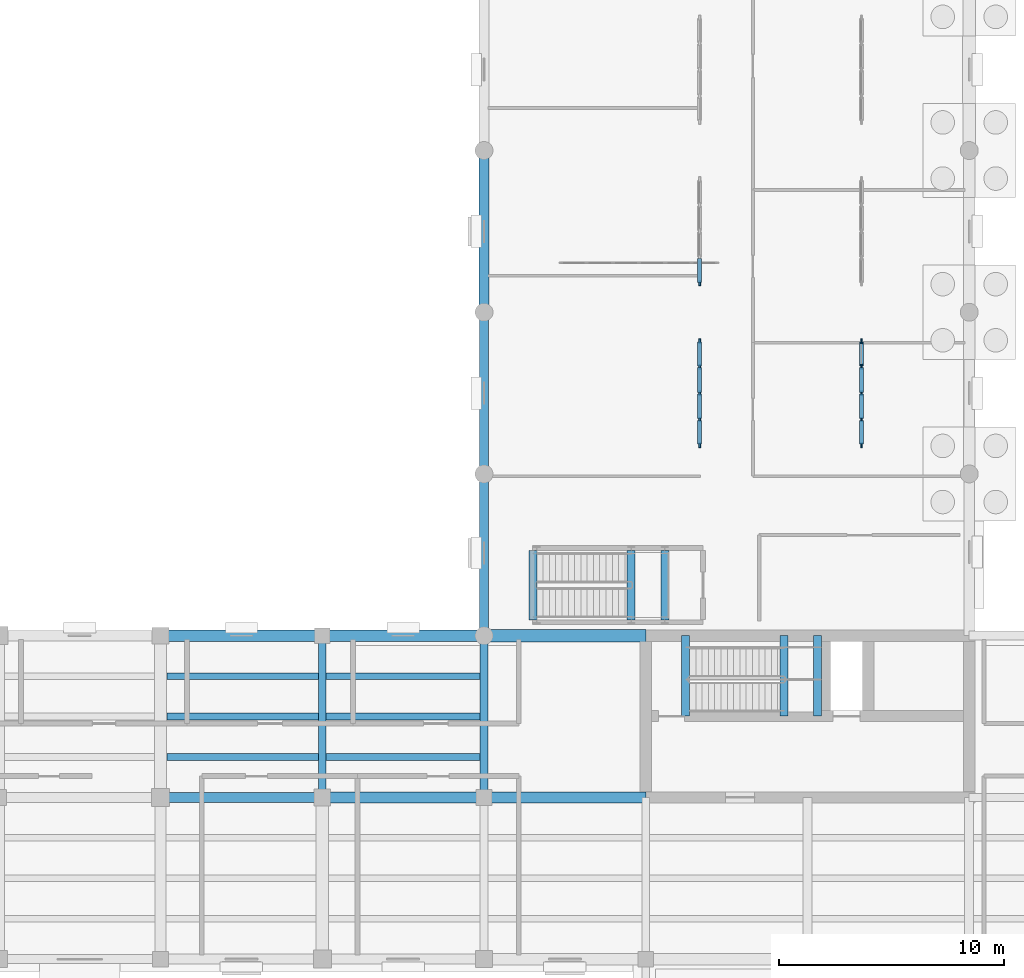
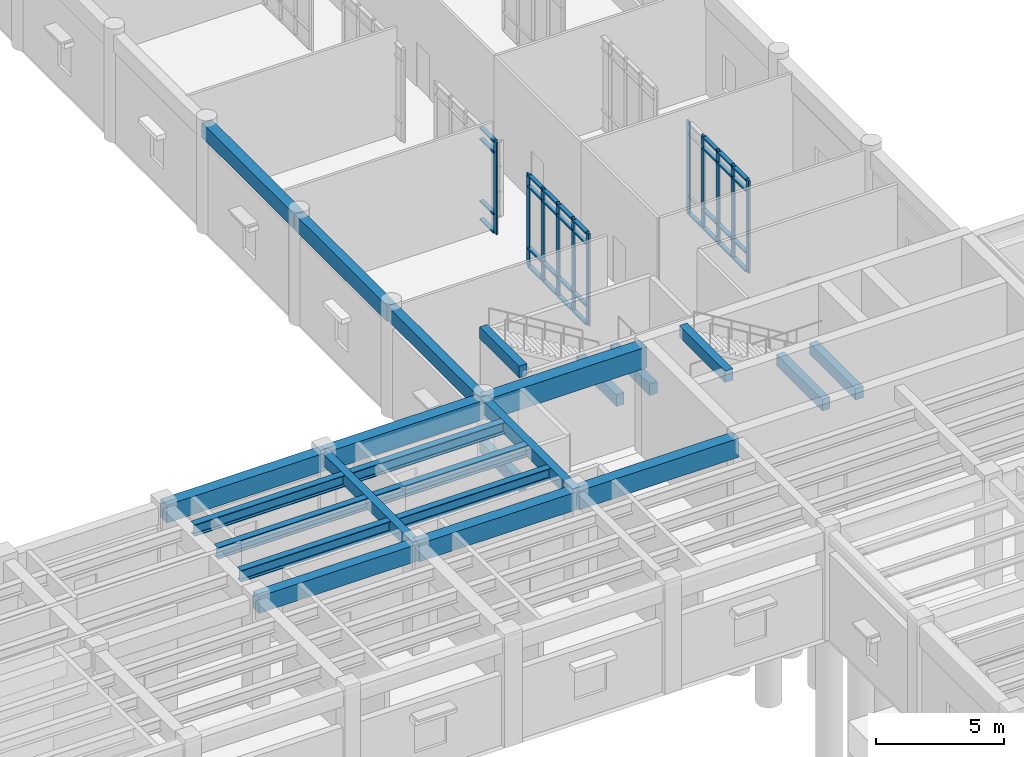
# One storey, part 18 of 100: 44 members, 24 beams, 3 elements without a shape of their own.
"""IFC4 building model written with IfcOpenShell, lengths in metres."""

from ifc_helpers import new_model, si_unit, direction, frame, origin, origin_2d, place, context, subcontext, project, spatial, rectangle, i_section, extrude, material, material_profile, profile_set, type_object, element, aggregate, save


model = new_model("IFC4")

# Units and contexts
model_context = context("Model", 3, precision=1e-05, world=origin(), true_north=direction((0.0, 1.0)))
body_context = subcontext(model_context, "Body", "Model", "MODEL_VIEW")
ifc_project = project(units=[si_unit("LENGTHUNIT", "METRE"), si_unit("AREAUNIT", "SQUARE_METRE"), si_unit("VOLUMEUNIT", "CUBIC_METRE"), si_unit("PLANEANGLEUNIT", "RADIAN"), si_unit("MASSUNIT", "GRAM", prefix="KILO")], contexts=[model_context])

# Site, building, storey
site_placement = place(None, origin())
site = spatial("IfcSite", under=ifc_project, at=site_placement, CompositionType="ELEMENT")
building_placement = place(site_placement, origin())
building = spatial("IfcBuilding", under=site, at=building_placement, Name="Mithqara Police Headquarters", CompositionType="ELEMENT")
storey_placement = place(building_placement, origin())
storey = spatial("IfcBuildingStorey", under=building, at=storey_placement, Name="L00", CompositionType="ELEMENT", Elevation=0.0)

# Beams
ifc_material_1 = material(Name="Steel S355JR", Category="steel")
ifc_material_profile_1 = material_profile(ifc_material_1, i_section(OverallWidth=0.300048828125, OverallDepth=0.550048828125, WebThickness=0.014892578125, FlangeThickness=0.029052734375, FilletRadius=0.027099609375, at=origin_2d()), Name="HEB 550")
ifc_profile_set_1 = profile_set([ifc_material_profile_1], Name="Steel S355JR")
beam_type_1 = type_object("IfcBeamType", Name="BEAM HEB550", PredefinedType="BEAM", material=ifc_profile_set_1)
for number, where, z_axis, x_axis, name in (
    (1, (58.47509765625, 30.0, 4.844970703125), (1.0, 0.0, 0.0), (0.0, 1.0, 0.0), "L00 Composite Steel Joist 9-10/E.1"),
    (2, (58.47509765625, 31.800048828125, 4.844970703125), (1.0, 0.0, 0.0), (0.0, 1.0, 0.0), "L00 Composite Steel Joist 9-10/E.2"),
    (3, (58.47509765625, 33.60009765625, 4.844970703125), (1.0, 0.0, 0.0), (0.0, 1.0, 0.0), "L00 Composite Steel Joist 9-10/E.3"),
):
    element("IfcBeam", number, at=place(storey_placement, frame(where, z_axis=z_axis, x_axis=x_axis)), inside=storey, type_object=beam_type_1, Name=name, PredefinedType="BEAM", context=body_context, shape_type="SweptSolid", body=[
        extrude(i_section(OverallWidth=0.300048828125, OverallDepth=0.550048828125, WebThickness=0.014892578125, FlangeThickness=0.029052734375, FilletRadius=0.027099609375, at=origin_2d()), origin(), (0.0, 0.0, 1.0), 6.75),
    ])
for number, where, z_axis, x_axis, name in (
    (4, (65.574951171875, 30.0, 4.844970703125), (1.0, 0.0, 0.0), (0.0, 1.0, 0.0), "L00 Composite Steel Joist 10-11/E.1"),
    (5, (65.574951171875, 31.800048828125, 4.844970703125), (1.0, 0.0, 0.0), (0.0, 1.0, 0.0), "L00 Composite Steel Joist 10-11/E.2"),
    (6, (65.574951171875, 33.60009765625, 4.844970703125), (1.0, 0.0, 0.0), (0.0, 1.0, 0.0), "L00 Composite Steel Joist 10-11/E.3"),
):
    element("IfcBeam", number, at=place(storey_placement, frame(where, z_axis=z_axis, x_axis=x_axis)), inside=storey, type_object=beam_type_1, Name=name, PredefinedType="BEAM", context=body_context, shape_type="SweptSolid", body=[
        extrude(i_section(OverallWidth=0.300048828125, OverallDepth=0.550048828125, WebThickness=0.014892578125, FlangeThickness=0.029052734375, FilletRadius=0.027099609375, at=origin_2d()), origin(), (0.0, 0.0, 1.0), 6.85009765625),
    ])
ifc_material_2 = material(Name="Concrete C40/50", Category="concrete")
ifc_material_profile_2 = material_profile(ifc_material_2, rectangle(XDim=0.35009765625, YDim=0.550048828125, at=origin_2d()), Name="RC 350x550")
ifc_profile_set_2 = profile_set([ifc_material_profile_2], Name="Concrete C40/50")
beam_type_2 = type_object("IfcBeamType", Name="BEAM RC350X550", PredefinedType="BEAM", material=ifc_profile_set_2)
beam_1_placement = place(storey_placement, frame((65.39990234375, 28.199951171875, 4.844970703125), z_axis=(0.0, 1.0, 0.0), x_axis=(-1.0, 0.0, 0.0)))
element("IfcBeam", 7, at=beam_1_placement, inside=storey, type_object=beam_type_2, Name="L00 Girder 10/E-F", PredefinedType="BEAM", context=body_context, shape_type="SweptSolid", body=[
    extrude(rectangle(XDim=0.35009765625, YDim=0.550048828125, at=origin_2d()), origin(), (0.0, 0.0, 1.0), 7.199951171875),
])
for number, where, z_axis, x_axis, name in (
    (8, (85.949951171875, 31.820068359375, 2.235107421875), (0.0, 1.0, 0.0), (-1.0, 0.0, 0.0), "L00 ST-07 Half-Landing Bearer LF"),
    (9, (87.449951171875, 31.820068359375, 2.235107421875), (0.0, 1.0, 0.0), (-1.0, 0.0, 0.0), "L00 ST-07 Half-Landing Bearer LB"),
    (10, (81.576904296875, 31.820068359375, 5.125), (0.0, 1.0, 0.0), (-1.0, 0.0, 0.0), "L00 ST-07 Stairwell Trimmer Beam"),
):
    element("IfcBeam", number, at=place(storey_placement, frame(where, z_axis=z_axis, x_axis=x_axis)), inside=storey, type_object=beam_type_2, Name=name, PredefinedType="BEAM", context=body_context, shape_type="SweptSolid", body=[
        extrude(rectangle(XDim=0.35009765625, YDim=0.550048828125, at=origin_2d()), origin(), (0.0, 0.0, 1.0), 3.579833984375),
    ])
for number, where, z_axis, x_axis, name in (
    (11, (74.777099609375, 36.10009765625, -0.27490234375), (0.0, 1.0, 0.0), (-1.0, 0.0, 0.0), "L00 ST-05 Floor Starter Beam"),
    (12, (79.14990234375, 36.10009765625, 2.235107421875), (0.0, 1.0, 0.0), (-1.0, 0.0, 0.0), "L00 ST-05 Bearer LF"),
    (13, (80.64990234375, 36.10009765625, 2.235107421875), (0.0, 1.0, 0.0), (-1.0, 0.0, 0.0), "L00 ST-05 Bearer LB"),
    (14, (74.777099609375, 36.10009765625, 5.135009765625), (0.0, 1.0, 0.0), (-1.0, 0.0, 0.0), "L00 ST-05 Bearer TR"),
):
    element("IfcBeam", number, at=place(storey_placement, frame(where, z_axis=z_axis, x_axis=x_axis)), inside=storey, type_object=beam_type_2, Name=name, PredefinedType="BEAM", context=body_context, shape_type="SweptSolid", body=[
        extrude(rectangle(XDim=0.35009765625, YDim=0.550048828125, at=origin_2d()), origin(), (0.0, 0.0, 1.0), 3.099853515625),
    ])
ifc_material_profile_3 = material_profile(ifc_material_2, rectangle(XDim=0.35009765625, YDim=0.60009765625, at=origin_2d()), Name="RC 350x600")
ifc_profile_set_3 = profile_set([ifc_material_profile_3], Name="Concrete C40/50")
beam_type_3 = type_object("IfcBeamType", Name="BEAM RC350X600", PredefinedType="BEAM", material=ifc_profile_set_3)
beam_2_placement = place(storey_placement, frame((72.60009765625, 28.199951171875, 4.820068359375), z_axis=(0.0, 1.0, 0.0), x_axis=(-1.0, 0.0, 0.0)))
element("IfcBeam", 15, at=beam_2_placement, inside=storey, type_object=beam_type_3, Name="L00 Girder 11/E-F", PredefinedType="BEAM", context=body_context, shape_type="SweptSolid", body=[
    extrude(rectangle(XDim=0.35009765625, YDim=0.60009765625, at=origin_2d()), origin(), (0.0, 0.0, 1.0), 7.199951171875),
])
ifc_material_profile_4 = material_profile(ifc_material_2, rectangle(XDim=0.39990234375, YDim=0.64990234375, at=origin_2d()), Name="RC 400x650")
ifc_profile_set_4 = profile_set([ifc_material_profile_4], Name="Concrete C40/50")
beam_type_4 = type_object("IfcBeamType", Name="BEAM RC400X650", PredefinedType="BEAM", material=ifc_profile_set_4)
beam_3_placement = place(storey_placement, frame((72.60009765625, 35.39990234375, 4.794921875), z_axis=(0.0, 1.0, 0.0), x_axis=(-1.0, 0.0, 0.0)))
element("IfcBeam", 16, at=beam_3_placement, inside=storey, type_object=beam_type_4, Name="L00 Girder 11/F-G", PredefinedType="BEAM", context=body_context, shape_type="SweptSolid", body=[
    extrude(rectangle(XDim=0.39990234375, YDim=0.64990234375, at=origin_2d()), origin(), (0.0, 0.0, 1.0), 7.2001953125),
])
ifc_material_profile_5 = material_profile(ifc_material_2, rectangle(XDim=0.39990234375, YDim=0.75, at=origin_2d()), Name="RC 400x750")
ifc_profile_set_5 = profile_set([ifc_material_profile_5], Name="Concrete C40/50")
beam_type_5 = type_object("IfcBeamType", Name="BEAM RC400X750", PredefinedType="BEAM", material=ifc_profile_set_5)
beam_4_placement = place(storey_placement, frame((72.60009765625, 42.60009765625, 4.7451171875), z_axis=(0.0, 1.0, 0.0), x_axis=(-1.0, 0.0, 0.0)))
element("IfcBeam", 17, at=beam_4_placement, inside=storey, type_object=beam_type_5, Name="L00 Girder 11/G-H", PredefinedType="BEAM", context=body_context, shape_type="SweptSolid", body=[
    extrude(rectangle(XDim=0.39990234375, YDim=0.75, at=origin_2d()), origin(), (0.0, 0.0, 1.0), 7.199951171875),
])
ifc_material_profile_6 = material_profile(ifc_material_2, rectangle(XDim=0.449951171875, YDim=0.699951171875, at=origin_2d()), Name="RC 450x700")
ifc_profile_set_6 = profile_set([ifc_material_profile_6], Name="Concrete C40/50")
beam_type_6 = type_object("IfcBeamType", Name="BEAM RC450X700", PredefinedType="BEAM", material=ifc_profile_set_6)
beam_5_placement = place(storey_placement, frame((72.60009765625, 49.800048828125, 4.77001953125), z_axis=(0.0, 1.0, 0.0), x_axis=(-1.0, 0.0, 0.0)))
element("IfcBeam", 18, at=beam_5_placement, inside=storey, type_object=beam_type_6, Name="L00 Girder 11/H-J", PredefinedType="BEAM", context=body_context, shape_type="SweptSolid", body=[
    extrude(rectangle(XDim=0.449951171875, YDim=0.699951171875, at=origin_2d()), origin(), (0.0, 0.0, 1.0), 7.199951171875),
])
ifc_material_profile_7 = material_profile(ifc_material_2, rectangle(XDim=0.449951171875, YDim=0.800048828125, at=origin_2d()), Name="RC 450x800")
ifc_profile_set_7 = profile_set([ifc_material_profile_7], Name="Concrete C40/50")
beam_type_7 = type_object("IfcBeamType", Name="BEAM RC450X800", PredefinedType="BEAM", material=ifc_profile_set_7)
beam_6_placement = place(storey_placement, frame((58.199951171875, 28.199951171875, 4.719970703125), z_axis=(1.0, 0.0, 0.0), x_axis=(0.0, 1.0, 0.0)))
element("IfcBeam", 19, at=beam_6_placement, inside=storey, type_object=beam_type_7, Name="L00 Girder 9-10/E", PredefinedType="BEAM", context=body_context, shape_type="SweptSolid", body=[
    extrude(rectangle(XDim=0.449951171875, YDim=0.800048828125, at=origin_2d()), origin(), (0.0, 0.0, 1.0), 7.199951171875),
])
ifc_material_profile_8 = material_profile(ifc_material_2, rectangle(XDim=0.5, YDim=0.85009765625, at=origin_2d()), Name="RC 500x850")
ifc_profile_set_8 = profile_set([ifc_material_profile_8], Name="Concrete C40/50")
beam_type_8 = type_object("IfcBeamType", Name="BEAM RC500X850", PredefinedType="BEAM", material=ifc_profile_set_8)
beam_7_placement = place(storey_placement, frame((58.199951171875, 35.39990234375, 4.695068359375), z_axis=(1.0, 0.0, 0.0), x_axis=(0.0, 1.0, 0.0)))
element("IfcBeam", 20, at=beam_7_placement, inside=storey, type_object=beam_type_8, Name="L00 Girder 9-10/F", PredefinedType="BEAM", context=body_context, shape_type="SweptSolid", body=[
    extrude(rectangle(XDim=0.5, YDim=0.85009765625, at=origin_2d()), origin(), (0.0, 0.0, 1.0), 7.199951171875),
])
beam_8_placement = place(storey_placement, frame((65.39990234375, 28.199951171875, 4.695068359375), z_axis=(1.0, 0.0, 0.0), x_axis=(0.0, 1.0, 0.0)))
element("IfcBeam", 21, at=beam_8_placement, inside=storey, type_object=beam_type_8, Name="L00 Girder 10-11/E", PredefinedType="BEAM", context=body_context, shape_type="SweptSolid", body=[
    extrude(rectangle(XDim=0.5, YDim=0.85009765625, at=origin_2d()), origin(), (0.0, 0.0, 1.0), 7.2001953125),
])
ifc_material_3 = material(Name="Concrete C50/60", Category="concrete")
ifc_material_profile_9 = material_profile(ifc_material_3, rectangle(XDim=0.5, YDim=0.89990234375, at=origin_2d()), Name="RC 500x900")
ifc_profile_set_9 = profile_set([ifc_material_profile_9], Name="Concrete C50/60")
beam_type_9 = type_object("IfcBeamType", Name="BEAM RC500X900", PredefinedType="BEAM", material=ifc_profile_set_9)
beam_9_placement = place(storey_placement, frame((65.39990234375, 35.39990234375, 4.669921875), z_axis=(1.0, 0.0, 0.0), x_axis=(0.0, 1.0, 0.0)))
element("IfcBeam", 22, at=beam_9_placement, inside=storey, type_object=beam_type_9, Name="L00 Girder 10-11/F", PredefinedType="BEAM", context=body_context, shape_type="SweptSolid", body=[
    extrude(rectangle(XDim=0.5, YDim=0.89990234375, at=origin_2d()), origin(), (0.0, 0.0, 1.0), 7.2001953125),
])
beam_10_placement = place(storey_placement, frame((72.60009765625, 28.199951171875, 4.669921875), z_axis=(1.0, 0.0, 0.0), x_axis=(0.0, 1.0, 0.0)))
element("IfcBeam", 23, at=beam_10_placement, inside=storey, type_object=beam_type_9, Name="L00 Girder 11-12/E", PredefinedType="BEAM", context=body_context, shape_type="SweptSolid", body=[
    extrude(rectangle(XDim=0.5, YDim=0.89990234375, at=origin_2d()), origin(), (0.0, 0.0, 1.0), 7.199951171875),
])
ifc_material_profile_10 = material_profile(ifc_material_3, rectangle(XDim=0.550048828125, YDim=1.0, at=origin_2d()), Name="RC 550x1000")
ifc_profile_set_10 = profile_set([ifc_material_profile_10], Name="Concrete C50/60")
beam_type_10 = type_object("IfcBeamType", Name="BEAM RC550X1000", PredefinedType="BEAM", material=ifc_profile_set_10)
beam_11_placement = place(storey_placement, frame((72.60009765625, 35.39990234375, 4.6201171875), z_axis=(1.0, 0.0, 0.0), x_axis=(0.0, 1.0, 0.0)))
element("IfcBeam", 24, at=beam_11_placement, inside=storey, type_object=beam_type_10, Name="L00 Girder 11-12/F", PredefinedType="BEAM", context=body_context, shape_type="SweptSolid", body=[
    extrude(rectangle(XDim=0.550048828125, YDim=1.0, at=origin_2d()), origin(), (0.0, 0.0, 1.0), 7.199951171875),
])

# Curtain wall, members
ifc_material_4 = material(Name="Bronze anodised aluminium 6063-T6", Category="aluminium")
curtain_wall_type = type_object("IfcCurtainWallType", Name="CURTAIN WALL 4700X4400", PredefinedType="USERDEFINED", material=ifc_material_4)
curtain_wall_1_placement = place(storey_placement, origin())
curtain_wall_1 = element("IfcCurtainWall", 25, at=curtain_wall_1_placement, inside=storey, type_object=curtain_wall_type, Name="L00 Unitised Glazing CW-14 (CW-INT-L00-X11-Y06-0)", ObjectType="UNITISED GLAZING", PredefinedType="USERDEFINED")
ifc_material_profile_11 = material_profile(ifc_material_4, rectangle(XDim=0.074951171875, YDim=0.219970703125, at=origin_2d()), Name="CWM 75x220")
ifc_profile_set_11 = profile_set([ifc_material_profile_11], Name="Bronze anodised aluminium 6063-T6")
member_type_1 = type_object("IfcMemberType", Name="CWMULLION 75X220", PredefinedType="MULLION", material=ifc_profile_set_11)
member_1_placement = place(storey_placement, frame((82.199951171875, 43.887451171875, 0.0), z_axis=(0.0, 0.0, 1.0), x_axis=(-1.0, 0.0, 0.0)))
member_1 = element("IfcMember", 26, at=member_1_placement, type_object=member_type_1, Name="CW-14 mullion 1", PredefinedType="MULLION", context=body_context, shape_type="SweptSolid", body=[
    extrude(rectangle(XDim=0.074951171875, YDim=0.219970703125, at=origin_2d()), origin(), (0.0, 0.0, 1.0), 4.39990234375),
])
member_2_placement = place(storey_placement, frame((82.199951171875, 45.02490234375, 0.0), z_axis=(0.0, 0.0, 1.0), x_axis=(-1.0, 0.0, 0.0)))
member_2 = element("IfcMember", 27, at=member_2_placement, type_object=member_type_1, Name="CW-14 mullion 2", PredefinedType="MULLION", context=body_context, shape_type="SweptSolid", body=[
    extrude(rectangle(XDim=0.074951171875, YDim=0.219970703125, at=origin_2d()), origin(), (0.0, 0.0, 1.0), 4.39990234375),
])
member_3_placement = place(storey_placement, frame((82.199951171875, 46.199951171875, 0.0), z_axis=(0.0, 0.0, 1.0), x_axis=(-1.0, 0.0, 0.0)))
member_3 = element("IfcMember", 28, at=member_3_placement, type_object=member_type_1, Name="CW-14 mullion 3", PredefinedType="MULLION", context=body_context, shape_type="SweptSolid", body=[
    extrude(rectangle(XDim=0.074951171875, YDim=0.219970703125, at=origin_2d()), origin(), (0.0, 0.0, 1.0), 4.39990234375),
])
member_4_placement = place(storey_placement, frame((82.199951171875, 47.375, 0.0), z_axis=(0.0, 0.0, 1.0), x_axis=(-1.0, 0.0, 0.0)))
member_4 = element("IfcMember", 29, at=member_4_placement, type_object=member_type_1, Name="CW-14 mullion 4", PredefinedType="MULLION", context=body_context, shape_type="SweptSolid", body=[
    extrude(rectangle(XDim=0.074951171875, YDim=0.219970703125, at=origin_2d()), origin(), (0.0, 0.0, 1.0), 4.39990234375),
])
member_5_placement = place(storey_placement, frame((82.199951171875, 48.512451171875, 0.0), z_axis=(0.0, 0.0, 1.0), x_axis=(-1.0, 0.0, 0.0)))
member_5 = element("IfcMember", 30, at=member_5_placement, type_object=member_type_1, Name="CW-14 mullion 5", PredefinedType="MULLION", context=body_context, shape_type="SweptSolid", body=[
    extrude(rectangle(XDim=0.074951171875, YDim=0.219970703125, at=origin_2d()), origin(), (0.0, 0.0, 1.0), 4.39990234375),
])

# Curtain wall, member
curtain_wall_2_placement = place(storey_placement, origin())
curtain_wall_2 = element("IfcCurtainWall", 31, at=curtain_wall_2_placement, inside=storey, type_object=curtain_wall_type, Name="L00 Unitised Glazing CW-14 (CW-INT-L00-X11-Y07-0)", ObjectType="UNITISED GLAZING", PredefinedType="USERDEFINED")
member_6_placement = place(storey_placement, frame((82.199951171875, 51.08740234375, 0.0), z_axis=(0.0, 0.0, 1.0), x_axis=(-1.0, 0.0, 0.0)))
member_6 = element("IfcMember", 32, at=member_6_placement, type_object=member_type_1, Name="CW-14 mullion 1", PredefinedType="MULLION", context=body_context, shape_type="SweptSolid", body=[
    extrude(rectangle(XDim=0.074951171875, YDim=0.219970703125, at=origin_2d()), origin(), (0.0, 0.0, 1.0), 4.39990234375),
])

# Curtain wall, members
curtain_wall_3_placement = place(storey_placement, origin())
curtain_wall_3 = element("IfcCurtainWall", 33, at=curtain_wall_3_placement, inside=storey, type_object=curtain_wall_type, Name="L00 Unitised Glazing CW-14 (CW-INT-L00-X12-Y06-0)", ObjectType="UNITISED GLAZING", PredefinedType="USERDEFINED")
member_7_placement = place(storey_placement, frame((89.39990234375, 43.887451171875, 0.0), z_axis=(0.0, 0.0, 1.0), x_axis=(-1.0, 0.0, 0.0)))
member_7 = element("IfcMember", 34, at=member_7_placement, type_object=member_type_1, Name="CW-14 mullion 1", PredefinedType="MULLION", context=body_context, shape_type="SweptSolid", body=[
    extrude(rectangle(XDim=0.074951171875, YDim=0.219970703125, at=origin_2d()), origin(), (0.0, 0.0, 1.0), 4.39990234375),
])
member_8_placement = place(storey_placement, frame((89.39990234375, 45.02490234375, 0.0), z_axis=(0.0, 0.0, 1.0), x_axis=(-1.0, 0.0, 0.0)))
member_8 = element("IfcMember", 35, at=member_8_placement, type_object=member_type_1, Name="CW-14 mullion 2", PredefinedType="MULLION", context=body_context, shape_type="SweptSolid", body=[
    extrude(rectangle(XDim=0.074951171875, YDim=0.219970703125, at=origin_2d()), origin(), (0.0, 0.0, 1.0), 4.39990234375),
])
member_9_placement = place(storey_placement, frame((89.39990234375, 46.199951171875, 0.0), z_axis=(0.0, 0.0, 1.0), x_axis=(-1.0, 0.0, 0.0)))
member_9 = element("IfcMember", 36, at=member_9_placement, type_object=member_type_1, Name="CW-14 mullion 3", PredefinedType="MULLION", context=body_context, shape_type="SweptSolid", body=[
    extrude(rectangle(XDim=0.074951171875, YDim=0.219970703125, at=origin_2d()), origin(), (0.0, 0.0, 1.0), 4.39990234375),
])
member_10_placement = place(storey_placement, frame((89.39990234375, 47.375, 0.0), z_axis=(0.0, 0.0, 1.0), x_axis=(-1.0, 0.0, 0.0)))
member_10 = element("IfcMember", 37, at=member_10_placement, type_object=member_type_1, Name="CW-14 mullion 4", PredefinedType="MULLION", context=body_context, shape_type="SweptSolid", body=[
    extrude(rectangle(XDim=0.074951171875, YDim=0.219970703125, at=origin_2d()), origin(), (0.0, 0.0, 1.0), 4.39990234375),
])
member_11_placement = place(storey_placement, frame((89.39990234375, 48.512451171875, 0.0), z_axis=(0.0, 0.0, 1.0), x_axis=(-1.0, 0.0, 0.0)))
member_11 = element("IfcMember", 38, at=member_11_placement, type_object=member_type_1, Name="CW-14 mullion 5", PredefinedType="MULLION", context=body_context, shape_type="SweptSolid", body=[
    extrude(rectangle(XDim=0.074951171875, YDim=0.219970703125, at=origin_2d()), origin(), (0.0, 0.0, 1.0), 4.39990234375),
])

# Member
ifc_material_profile_12 = material_profile(ifc_material_4, rectangle(XDim=0.179931640625, YDim=0.074951171875, at=origin_2d()), Name="CWT 180x75")
ifc_profile_set_12 = profile_set([ifc_material_profile_12], Name="Bronze anodised aluminium 6063-T6")
member_type_2 = type_object("IfcMemberType", Name="CWTRANSOM 180X75", PredefinedType="USERDEFINED", material=ifc_profile_set_12)
member_12_placement = place(storey_placement, frame((82.199951171875, 43.925048828125, 0.03759765625), z_axis=(0.0, 1.0, 0.0), x_axis=(-1.0, 0.0, 0.0)))
member_12 = element("IfcMember", 39, at=member_12_placement, type_object=member_type_2, Name="CW-14 transom 1.1", ObjectType="TRANSOM", PredefinedType="USERDEFINED", context=body_context, shape_type="SweptSolid", body=[
    extrude(rectangle(XDim=0.179931640625, YDim=0.074951171875, at=origin_2d()), origin(), (0.0, 0.0, 1.0), 1.0625),
])

member_13_placement = place(storey_placement, frame((82.199951171875, 43.925048828125, 0.89990234375), z_axis=(0.0, 1.0, 0.0), x_axis=(-1.0, 0.0, 0.0)))
member_13 = element("IfcMember", 40, at=member_13_placement, type_object=member_type_2, Name="CW-14 transom 1.2", ObjectType="TRANSOM", PredefinedType="USERDEFINED", context=body_context, shape_type="SweptSolid", body=[
    extrude(rectangle(XDim=0.179931640625, YDim=0.074951171875, at=origin_2d()), origin(), (0.0, 0.0, 1.0), 1.0625),
])

member_14_placement = place(storey_placement, frame((82.199951171875, 43.925048828125, 3.85009765625), z_axis=(0.0, 1.0, 0.0), x_axis=(-1.0, 0.0, 0.0)))
member_14 = element("IfcMember", 41, at=member_14_placement, type_object=member_type_2, Name="CW-14 transom 1.3", ObjectType="TRANSOM", PredefinedType="USERDEFINED", context=body_context, shape_type="SweptSolid", body=[
    extrude(rectangle(XDim=0.179931640625, YDim=0.074951171875, at=origin_2d()), origin(), (0.0, 0.0, 1.0), 1.0625),
])

member_15_placement = place(storey_placement, frame((82.199951171875, 43.925048828125, 4.362548828125), z_axis=(0.0, 1.0, 0.0), x_axis=(-1.0, 0.0, 0.0)))
member_15 = element("IfcMember", 42, at=member_15_placement, type_object=member_type_2, Name="CW-14 transom 1.4", ObjectType="TRANSOM", PredefinedType="USERDEFINED", context=body_context, shape_type="SweptSolid", body=[
    extrude(rectangle(XDim=0.179931640625, YDim=0.074951171875, at=origin_2d()), origin(), (0.0, 0.0, 1.0), 1.0625),
])

member_16_placement = place(storey_placement, frame((82.199951171875, 45.0625, 0.03759765625), z_axis=(0.0, 1.0, 0.0), x_axis=(-1.0, 0.0, 0.0)))
member_16 = element("IfcMember", 43, at=member_16_placement, type_object=member_type_2, Name="CW-14 transom 2.1", ObjectType="TRANSOM", PredefinedType="USERDEFINED", context=body_context, shape_type="SweptSolid", body=[
    extrude(rectangle(XDim=0.179931640625, YDim=0.074951171875, at=origin_2d()), origin(), (0.0, 0.0, 1.0), 1.10009765625),
])

member_17_placement = place(storey_placement, frame((82.199951171875, 45.0625, 0.89990234375), z_axis=(0.0, 1.0, 0.0), x_axis=(-1.0, 0.0, 0.0)))
member_17 = element("IfcMember", 44, at=member_17_placement, type_object=member_type_2, Name="CW-14 transom 2.2", ObjectType="TRANSOM", PredefinedType="USERDEFINED", context=body_context, shape_type="SweptSolid", body=[
    extrude(rectangle(XDim=0.179931640625, YDim=0.074951171875, at=origin_2d()), origin(), (0.0, 0.0, 1.0), 1.10009765625),
])

member_18_placement = place(storey_placement, frame((82.199951171875, 45.0625, 3.85009765625), z_axis=(0.0, 1.0, 0.0), x_axis=(-1.0, 0.0, 0.0)))
member_18 = element("IfcMember", 45, at=member_18_placement, type_object=member_type_2, Name="CW-14 transom 2.3", ObjectType="TRANSOM", PredefinedType="USERDEFINED", context=body_context, shape_type="SweptSolid", body=[
    extrude(rectangle(XDim=0.179931640625, YDim=0.074951171875, at=origin_2d()), origin(), (0.0, 0.0, 1.0), 1.10009765625),
])

member_19_placement = place(storey_placement, frame((82.199951171875, 45.0625, 4.362548828125), z_axis=(0.0, 1.0, 0.0), x_axis=(-1.0, 0.0, 0.0)))
member_19 = element("IfcMember", 46, at=member_19_placement, type_object=member_type_2, Name="CW-14 transom 2.4", ObjectType="TRANSOM", PredefinedType="USERDEFINED", context=body_context, shape_type="SweptSolid", body=[
    extrude(rectangle(XDim=0.179931640625, YDim=0.074951171875, at=origin_2d()), origin(), (0.0, 0.0, 1.0), 1.10009765625),
])

member_20_placement = place(storey_placement, frame((82.199951171875, 46.237548828125, 0.03759765625), z_axis=(0.0, 1.0, 0.0), x_axis=(-1.0, 0.0, 0.0)))
member_20 = element("IfcMember", 47, at=member_20_placement, type_object=member_type_2, Name="CW-14 transom 3.1", ObjectType="TRANSOM", PredefinedType="USERDEFINED", context=body_context, shape_type="SweptSolid", body=[
    extrude(rectangle(XDim=0.179931640625, YDim=0.074951171875, at=origin_2d()), origin(), (0.0, 0.0, 1.0), 1.099853515625),
])

member_21_placement = place(storey_placement, frame((82.199951171875, 46.237548828125, 0.89990234375), z_axis=(0.0, 1.0, 0.0), x_axis=(-1.0, 0.0, 0.0)))
member_21 = element("IfcMember", 48, at=member_21_placement, type_object=member_type_2, Name="CW-14 transom 3.2", ObjectType="TRANSOM", PredefinedType="USERDEFINED", context=body_context, shape_type="SweptSolid", body=[
    extrude(rectangle(XDim=0.179931640625, YDim=0.074951171875, at=origin_2d()), origin(), (0.0, 0.0, 1.0), 1.099853515625),
])

member_22_placement = place(storey_placement, frame((82.199951171875, 46.237548828125, 3.85009765625), z_axis=(0.0, 1.0, 0.0), x_axis=(-1.0, 0.0, 0.0)))
member_22 = element("IfcMember", 49, at=member_22_placement, type_object=member_type_2, Name="CW-14 transom 3.3", ObjectType="TRANSOM", PredefinedType="USERDEFINED", context=body_context, shape_type="SweptSolid", body=[
    extrude(rectangle(XDim=0.179931640625, YDim=0.074951171875, at=origin_2d()), origin(), (0.0, 0.0, 1.0), 1.099853515625),
])

member_23_placement = place(storey_placement, frame((82.199951171875, 46.237548828125, 4.362548828125), z_axis=(0.0, 1.0, 0.0), x_axis=(-1.0, 0.0, 0.0)))
member_23 = element("IfcMember", 50, at=member_23_placement, type_object=member_type_2, Name="CW-14 transom 3.4", ObjectType="TRANSOM", PredefinedType="USERDEFINED", context=body_context, shape_type="SweptSolid", body=[
    extrude(rectangle(XDim=0.179931640625, YDim=0.074951171875, at=origin_2d()), origin(), (0.0, 0.0, 1.0), 1.099853515625),
])

member_24_placement = place(storey_placement, frame((82.199951171875, 47.41259765625, 0.03759765625), z_axis=(0.0, 1.0, 0.0), x_axis=(-1.0, 0.0, 0.0)))
member_24 = element("IfcMember", 51, at=member_24_placement, type_object=member_type_2, Name="CW-14 transom 4.1", ObjectType="TRANSOM", PredefinedType="USERDEFINED", context=body_context, shape_type="SweptSolid", body=[
    extrude(rectangle(XDim=0.179931640625, YDim=0.074951171875, at=origin_2d()), origin(), (0.0, 0.0, 1.0), 1.0625),
])

member_25_placement = place(storey_placement, frame((82.199951171875, 47.41259765625, 0.89990234375), z_axis=(0.0, 1.0, 0.0), x_axis=(-1.0, 0.0, 0.0)))
member_25 = element("IfcMember", 52, at=member_25_placement, type_object=member_type_2, Name="CW-14 transom 4.2", ObjectType="TRANSOM", PredefinedType="USERDEFINED", context=body_context, shape_type="SweptSolid", body=[
    extrude(rectangle(XDim=0.179931640625, YDim=0.074951171875, at=origin_2d()), origin(), (0.0, 0.0, 1.0), 1.0625),
])

member_26_placement = place(storey_placement, frame((82.199951171875, 47.41259765625, 3.85009765625), z_axis=(0.0, 1.0, 0.0), x_axis=(-1.0, 0.0, 0.0)))
member_26 = element("IfcMember", 53, at=member_26_placement, type_object=member_type_2, Name="CW-14 transom 4.3", ObjectType="TRANSOM", PredefinedType="USERDEFINED", context=body_context, shape_type="SweptSolid", body=[
    extrude(rectangle(XDim=0.179931640625, YDim=0.074951171875, at=origin_2d()), origin(), (0.0, 0.0, 1.0), 1.0625),
])

member_27_placement = place(storey_placement, frame((82.199951171875, 47.41259765625, 4.362548828125), z_axis=(0.0, 1.0, 0.0), x_axis=(-1.0, 0.0, 0.0)))
member_27 = element("IfcMember", 54, at=member_27_placement, type_object=member_type_2, Name="CW-14 transom 4.4", ObjectType="TRANSOM", PredefinedType="USERDEFINED", context=body_context, shape_type="SweptSolid", body=[
    extrude(rectangle(XDim=0.179931640625, YDim=0.074951171875, at=origin_2d()), origin(), (0.0, 0.0, 1.0), 1.0625),
])

aggregate(curtain_wall_1, [member_1, member_2, member_3, member_4, member_5, member_12, member_13, member_14, member_15, member_16, member_17, member_18, member_19, member_20, member_21, member_22, member_23, member_24, member_25, member_26, member_27])

member_28_placement = place(storey_placement, frame((82.199951171875, 51.125, 0.03759765625), z_axis=(0.0, 1.0, 0.0), x_axis=(-1.0, 0.0, 0.0)))
member_28 = element("IfcMember", 55, at=member_28_placement, type_object=member_type_2, Name="CW-14 transom 1.1", ObjectType="TRANSOM", PredefinedType="USERDEFINED", context=body_context, shape_type="SweptSolid", body=[
    extrude(rectangle(XDim=0.179931640625, YDim=0.074951171875, at=origin_2d()), origin(), (0.0, 0.0, 1.0), 1.0625),
])

member_29_placement = place(storey_placement, frame((82.199951171875, 51.125, 0.89990234375), z_axis=(0.0, 1.0, 0.0), x_axis=(-1.0, 0.0, 0.0)))
member_29 = element("IfcMember", 56, at=member_29_placement, type_object=member_type_2, Name="CW-14 transom 1.2", ObjectType="TRANSOM", PredefinedType="USERDEFINED", context=body_context, shape_type="SweptSolid", body=[
    extrude(rectangle(XDim=0.179931640625, YDim=0.074951171875, at=origin_2d()), origin(), (0.0, 0.0, 1.0), 1.0625),
])

member_30_placement = place(storey_placement, frame((82.199951171875, 51.125, 3.85009765625), z_axis=(0.0, 1.0, 0.0), x_axis=(-1.0, 0.0, 0.0)))
member_30 = element("IfcMember", 57, at=member_30_placement, type_object=member_type_2, Name="CW-14 transom 1.3", ObjectType="TRANSOM", PredefinedType="USERDEFINED", context=body_context, shape_type="SweptSolid", body=[
    extrude(rectangle(XDim=0.179931640625, YDim=0.074951171875, at=origin_2d()), origin(), (0.0, 0.0, 1.0), 1.0625),
])

member_31_placement = place(storey_placement, frame((82.199951171875, 51.125, 4.362548828125), z_axis=(0.0, 1.0, 0.0), x_axis=(-1.0, 0.0, 0.0)))
member_31 = element("IfcMember", 58, at=member_31_placement, type_object=member_type_2, Name="CW-14 transom 1.4", ObjectType="TRANSOM", PredefinedType="USERDEFINED", context=body_context, shape_type="SweptSolid", body=[
    extrude(rectangle(XDim=0.179931640625, YDim=0.074951171875, at=origin_2d()), origin(), (0.0, 0.0, 1.0), 1.0625),
])

aggregate(curtain_wall_2, [member_6, member_28, member_29, member_30, member_31])

member_32_placement = place(storey_placement, frame((89.39990234375, 43.925048828125, 0.03759765625), z_axis=(0.0, 1.0, 0.0), x_axis=(-1.0, 0.0, 0.0)))
member_32 = element("IfcMember", 59, at=member_32_placement, type_object=member_type_2, Name="CW-14 transom 1.1", ObjectType="TRANSOM", PredefinedType="USERDEFINED", context=body_context, shape_type="SweptSolid", body=[
    extrude(rectangle(XDim=0.179931640625, YDim=0.074951171875, at=origin_2d()), origin(), (0.0, 0.0, 1.0), 1.0625),
])

member_33_placement = place(storey_placement, frame((89.39990234375, 43.925048828125, 0.89990234375), z_axis=(0.0, 1.0, 0.0), x_axis=(-1.0, 0.0, 0.0)))
member_33 = element("IfcMember", 60, at=member_33_placement, type_object=member_type_2, Name="CW-14 transom 1.2", ObjectType="TRANSOM", PredefinedType="USERDEFINED", context=body_context, shape_type="SweptSolid", body=[
    extrude(rectangle(XDim=0.179931640625, YDim=0.074951171875, at=origin_2d()), origin(), (0.0, 0.0, 1.0), 1.0625),
])

member_34_placement = place(storey_placement, frame((89.39990234375, 43.925048828125, 3.85009765625), z_axis=(0.0, 1.0, 0.0), x_axis=(-1.0, 0.0, 0.0)))
member_34 = element("IfcMember", 61, at=member_34_placement, type_object=member_type_2, Name="CW-14 transom 1.3", ObjectType="TRANSOM", PredefinedType="USERDEFINED", context=body_context, shape_type="SweptSolid", body=[
    extrude(rectangle(XDim=0.179931640625, YDim=0.074951171875, at=origin_2d()), origin(), (0.0, 0.0, 1.0), 1.0625),
])

member_35_placement = place(storey_placement, frame((89.39990234375, 43.925048828125, 4.362548828125), z_axis=(0.0, 1.0, 0.0), x_axis=(-1.0, 0.0, 0.0)))
member_35 = element("IfcMember", 62, at=member_35_placement, type_object=member_type_2, Name="CW-14 transom 1.4", ObjectType="TRANSOM", PredefinedType="USERDEFINED", context=body_context, shape_type="SweptSolid", body=[
    extrude(rectangle(XDim=0.179931640625, YDim=0.074951171875, at=origin_2d()), origin(), (0.0, 0.0, 1.0), 1.0625),
])

member_36_placement = place(storey_placement, frame((89.39990234375, 45.0625, 0.03759765625), z_axis=(0.0, 1.0, 0.0), x_axis=(-1.0, 0.0, 0.0)))
member_36 = element("IfcMember", 63, at=member_36_placement, type_object=member_type_2, Name="CW-14 transom 2.1", ObjectType="TRANSOM", PredefinedType="USERDEFINED", context=body_context, shape_type="SweptSolid", body=[
    extrude(rectangle(XDim=0.179931640625, YDim=0.074951171875, at=origin_2d()), origin(), (0.0, 0.0, 1.0), 1.10009765625),
])

member_37_placement = place(storey_placement, frame((89.39990234375, 45.0625, 0.89990234375), z_axis=(0.0, 1.0, 0.0), x_axis=(-1.0, 0.0, 0.0)))
member_37 = element("IfcMember", 64, at=member_37_placement, type_object=member_type_2, Name="CW-14 transom 2.2", ObjectType="TRANSOM", PredefinedType="USERDEFINED", context=body_context, shape_type="SweptSolid", body=[
    extrude(rectangle(XDim=0.179931640625, YDim=0.074951171875, at=origin_2d()), origin(), (0.0, 0.0, 1.0), 1.10009765625),
])

member_38_placement = place(storey_placement, frame((89.39990234375, 45.0625, 3.85009765625), z_axis=(0.0, 1.0, 0.0), x_axis=(-1.0, 0.0, 0.0)))
member_38 = element("IfcMember", 65, at=member_38_placement, type_object=member_type_2, Name="CW-14 transom 2.3", ObjectType="TRANSOM", PredefinedType="USERDEFINED", context=body_context, shape_type="SweptSolid", body=[
    extrude(rectangle(XDim=0.179931640625, YDim=0.074951171875, at=origin_2d()), origin(), (0.0, 0.0, 1.0), 1.10009765625),
])

member_39_placement = place(storey_placement, frame((89.39990234375, 45.0625, 4.362548828125), z_axis=(0.0, 1.0, 0.0), x_axis=(-1.0, 0.0, 0.0)))
member_39 = element("IfcMember", 66, at=member_39_placement, type_object=member_type_2, Name="CW-14 transom 2.4", ObjectType="TRANSOM", PredefinedType="USERDEFINED", context=body_context, shape_type="SweptSolid", body=[
    extrude(rectangle(XDim=0.179931640625, YDim=0.074951171875, at=origin_2d()), origin(), (0.0, 0.0, 1.0), 1.10009765625),
])

member_40_placement = place(storey_placement, frame((89.39990234375, 46.237548828125, 0.03759765625), z_axis=(0.0, 1.0, 0.0), x_axis=(-1.0, 0.0, 0.0)))
member_40 = element("IfcMember", 67, at=member_40_placement, type_object=member_type_2, Name="CW-14 transom 3.1", ObjectType="TRANSOM", PredefinedType="USERDEFINED", context=body_context, shape_type="SweptSolid", body=[
    extrude(rectangle(XDim=0.179931640625, YDim=0.074951171875, at=origin_2d()), origin(), (0.0, 0.0, 1.0), 1.099853515625),
])

member_41_placement = place(storey_placement, frame((89.39990234375, 46.237548828125, 0.89990234375), z_axis=(0.0, 1.0, 0.0), x_axis=(-1.0, 0.0, 0.0)))
member_41 = element("IfcMember", 68, at=member_41_placement, type_object=member_type_2, Name="CW-14 transom 3.2", ObjectType="TRANSOM", PredefinedType="USERDEFINED", context=body_context, shape_type="SweptSolid", body=[
    extrude(rectangle(XDim=0.179931640625, YDim=0.074951171875, at=origin_2d()), origin(), (0.0, 0.0, 1.0), 1.099853515625),
])

member_42_placement = place(storey_placement, frame((89.39990234375, 46.237548828125, 3.85009765625), z_axis=(0.0, 1.0, 0.0), x_axis=(-1.0, 0.0, 0.0)))
member_42 = element("IfcMember", 69, at=member_42_placement, type_object=member_type_2, Name="CW-14 transom 3.3", ObjectType="TRANSOM", PredefinedType="USERDEFINED", context=body_context, shape_type="SweptSolid", body=[
    extrude(rectangle(XDim=0.179931640625, YDim=0.074951171875, at=origin_2d()), origin(), (0.0, 0.0, 1.0), 1.099853515625),
])

member_43_placement = place(storey_placement, frame((89.39990234375, 46.237548828125, 4.362548828125), z_axis=(0.0, 1.0, 0.0), x_axis=(-1.0, 0.0, 0.0)))
member_43 = element("IfcMember", 70, at=member_43_placement, type_object=member_type_2, Name="CW-14 transom 3.4", ObjectType="TRANSOM", PredefinedType="USERDEFINED", context=body_context, shape_type="SweptSolid", body=[
    extrude(rectangle(XDim=0.179931640625, YDim=0.074951171875, at=origin_2d()), origin(), (0.0, 0.0, 1.0), 1.099853515625),
])

member_44_placement = place(storey_placement, frame((89.39990234375, 47.41259765625, 0.03759765625), z_axis=(0.0, 1.0, 0.0), x_axis=(-1.0, 0.0, 0.0)))
member_44 = element("IfcMember", 71, at=member_44_placement, type_object=member_type_2, Name="CW-14 transom 4.1", ObjectType="TRANSOM", PredefinedType="USERDEFINED", context=body_context, shape_type="SweptSolid", body=[
    extrude(rectangle(XDim=0.179931640625, YDim=0.074951171875, at=origin_2d()), origin(), (0.0, 0.0, 1.0), 1.0625),
])

aggregate(curtain_wall_3, [member_7, member_8, member_9, member_10, member_11, member_32, member_33, member_34, member_35, member_36, member_37, member_38, member_39, member_40, member_41, member_42, member_43, member_44])

save(model, "model.ifc")
